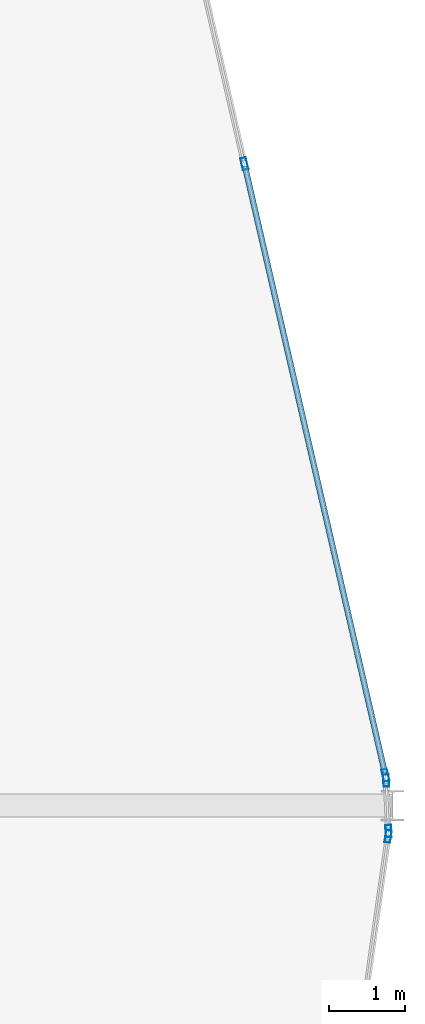
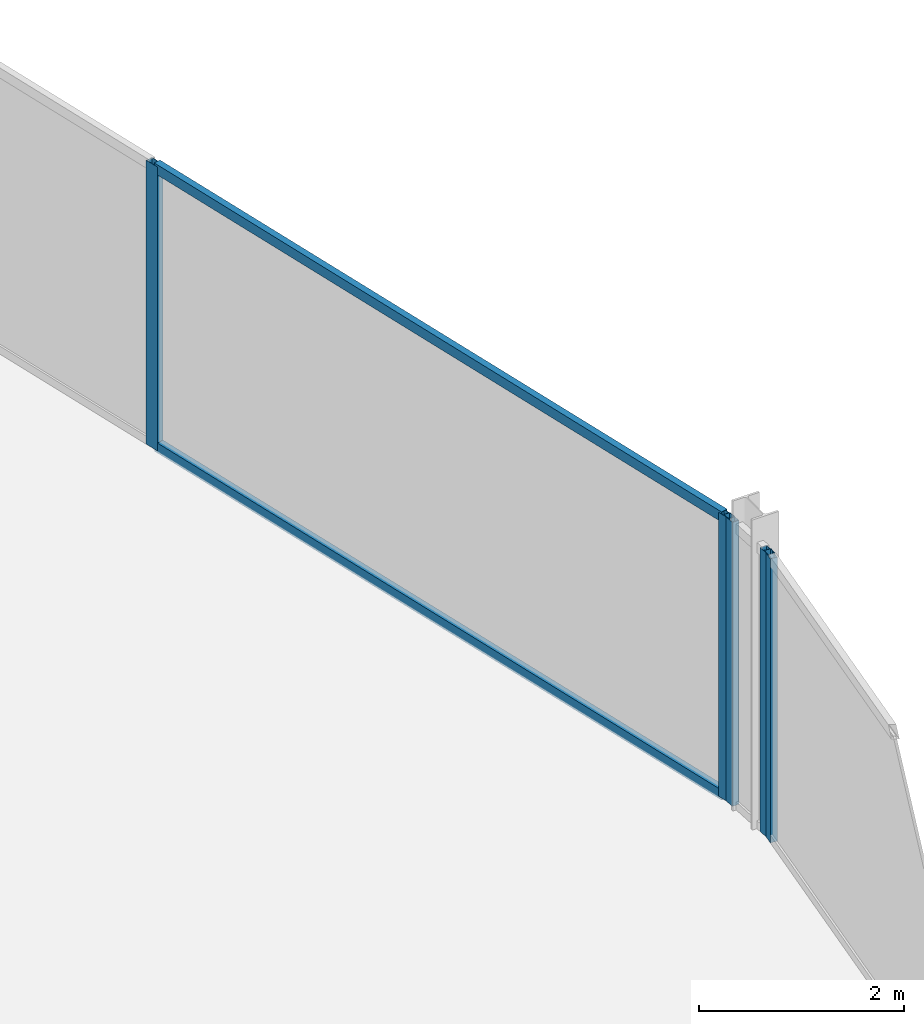
# One storey, part 14 of 27: 7 members, 3 elements without a shape of their own.
"""IFC4 building model written with IfcOpenShell, lengths in metres."""

from ifc_helpers import new_model, si_unit, direction, frame, origin, origin_2d, place, context, subcontext, project, spatial, hollow_rectangle, extrude, material, layer, layer_set, material_profile, profile_set, type_object, element, aggregate, save


model = new_model("IFC4")

# Units and contexts
model_context = context("Model", 3, precision=1e-05, world=origin(), true_north=direction((0.0, 1.0)))
body_context = subcontext(model_context, "Body", "Model", "MODEL_VIEW")
ifc_project = project(units=[si_unit("LENGTHUNIT", "METRE"), si_unit("AREAUNIT", "SQUARE_METRE"), si_unit("VOLUMEUNIT", "CUBIC_METRE"), si_unit("PLANEANGLEUNIT", "RADIAN"), si_unit("MASSUNIT", "GRAM", prefix="KILO")], contexts=[model_context])

# Site, building, storey
site_placement = place(None, origin())
site = spatial("IfcSite", under=ifc_project, at=site_placement, CompositionType="ELEMENT")
building_placement = place(site_placement, origin())
building = spatial("IfcBuilding", under=site, at=building_placement, Name="Keshet Zoharim Tower", CompositionType="ELEMENT")
storey_placement = place(building_placement, frame((0.0, 0.0, 254.699951171875)))
storey = spatial("IfcBuildingStorey", under=building, at=storey_placement, Name="L63", CompositionType="ELEMENT", Elevation=254.699951171875)

# Curtain wall, members
ifc_material = material(Name="Aluminium 6063-T6", Category="aluminium")
ifc_layer = layer(ifc_material, 0.260009765625)
ifc_layer_set = layer_set([ifc_layer], Name="Aluminium 6063-T6")
curtain_wall_type = type_object("IfcCurtainWallType", Name="CW-SYS-06", PredefinedType="NOTDEFINED", material=ifc_layer_set)
curtain_wall_1_placement = place(storey_placement, origin())
curtain_wall_1 = element("IfcCurtainWall", 1, at=curtain_wall_1_placement, inside=storey, type_object=curtain_wall_type, Name="L63 Unitised Curtain Wall 09", PredefinedType="NOTDEFINED")
ifc_material_profile_1 = material_profile(ifc_material, hollow_rectangle(XDim=0.074951171875, YDim=0.159912109375, WallThickness=0.00390625, at=origin_2d()), Name="MUL-75x160")
ifc_profile_set_1 = profile_set([ifc_material_profile_1], Name="Aluminium 6063-T6")
member_type_1 = type_object("IfcMemberType", Name="CWM-M15", PredefinedType="MULLION", material=ifc_profile_set_1)
member_1_placement = place(storey_placement, frame((43.063232421875, 36.291259765625, 0.0), z_axis=(0.0, 0.0, 1.0), x_axis=(0.974398012932, 0.224829963294, 0.0)))
member_1 = element("IfcMember", 2, at=member_1_placement, type_object=member_type_1, Name="CW-06 mullion 3", PredefinedType="MULLION", context=body_context, shape_type="SweptSolid", body=[
    extrude(hollow_rectangle(XDim=0.074951171875, YDim=0.159912109375, WallThickness=0.00390625, at=origin_2d()), origin(), (0.0, 0.0, 1.0), 3.39013671875),
])
member_2_placement = place(storey_placement, frame((44.908203125, 28.296142578125, 0.0), z_axis=(0.0, 0.0, 1.0), x_axis=(0.974398012932, 0.224829963294, 0.0)))
member_2 = element("IfcMember", 3, at=member_2_placement, type_object=member_type_1, Name="CW-06 mullion 4", PredefinedType="MULLION", context=body_context, shape_type="SweptSolid", body=[
    extrude(hollow_rectangle(XDim=0.074951171875, YDim=0.159912109375, WallThickness=0.00390625, at=origin_2d()), origin(), (0.0, 0.0, 1.0), 3.39013671875),
])

curtain_wall_2_placement = place(storey_placement, origin())
curtain_wall_2 = element("IfcCurtainWall", 4, at=curtain_wall_2_placement, inside=storey, type_object=curtain_wall_type, Name="L63 Unitised Curtain Wall 10", PredefinedType="NOTDEFINED")
member_3_placement = place(storey_placement, frame((44.91748046875, 28.22705078125, 0.0), z_axis=(0.0, 0.0, 1.0), x_axis=(0.999040601801, 0.043793560626, 0.0)))
member_3 = element("IfcMember", 5, at=member_3_placement, type_object=member_type_1, Name="CW-06 mullion 1", PredefinedType="MULLION", context=body_context, shape_type="SweptSolid", body=[
    extrude(hollow_rectangle(XDim=0.074951171875, YDim=0.159912109375, WallThickness=0.00390625, at=origin_2d()), origin(), (0.0, 0.0, 1.0), 3.39013671875),
])
member_4_placement = place(storey_placement, frame((44.946533203125, 27.56689453125, 0.0), z_axis=(0.0, 0.0, 1.0), x_axis=(0.999040601801, 0.043793560626, 0.0)))
member_4 = element("IfcMember", 6, at=member_4_placement, type_object=member_type_1, Name="CW-06 mullion 2", PredefinedType="MULLION", context=body_context, shape_type="SweptSolid", body=[
    extrude(hollow_rectangle(XDim=0.074951171875, YDim=0.159912109375, WallThickness=0.00390625, at=origin_2d()), origin(), (0.0, 0.0, 1.0), 3.39013671875),
])
aggregate(curtain_wall_2, [member_3, member_4])

# Curtain wall, member
curtain_wall_3_placement = place(storey_placement, origin())
curtain_wall_3 = element("IfcCurtainWall", 7, at=curtain_wall_3_placement, inside=storey, type_object=curtain_wall_type, Name="L63 Unitised Curtain Wall 11", PredefinedType="NOTDEFINED")
member_5_placement = place(storey_placement, frame((44.943115234375, 27.497314453125, 0.0), z_axis=(0.0, 0.0, 1.0), x_axis=(0.990132057422, -0.140137464177, 0.0)))
member_5 = element("IfcMember", 8, at=member_5_placement, type_object=member_type_1, Name="CW-06 mullion 1", PredefinedType="MULLION", context=body_context, shape_type="SweptSolid", body=[
    extrude(hollow_rectangle(XDim=0.074951171875, YDim=0.159912109375, WallThickness=0.00390625, at=origin_2d()), origin(), (0.0, 0.0, 1.0), 3.39013671875),
])
aggregate(curtain_wall_3, [member_5])

# Member
ifc_material_profile_2 = material_profile(ifc_material, hollow_rectangle(XDim=0.074951171875, YDim=0.1201171875, WallThickness=0.00390625, at=origin_2d()), Name="TRN-75x120")
ifc_profile_set_2 = profile_set([ifc_material_profile_2], Name="Aluminium 6063-T6")
member_type_2 = type_object("IfcMemberType", Name="CWT-T12", PredefinedType="USERDEFINED", material=ifc_profile_set_2)
member_6_placement = place(storey_placement, frame((43.0712890625, 36.25732421875, 0.03515625), z_axis=(0.224806904107, -0.974403333259, 0.0), x_axis=(0.974403333259, 0.224806904107, 0.0)))
member_6 = element("IfcMember", 9, at=member_6_placement, type_object=member_type_2, Name="CW-06 transom 3.1", ObjectType="TRANSOM", PredefinedType="USERDEFINED", context=body_context, shape_type="SweptSolid", body=[
    extrude(hollow_rectangle(XDim=0.074951171875, YDim=0.1201171875, WallThickness=0.00390625, at=origin_2d()), origin(), (0.0, 0.0, 1.0), 8.13525390625),
])

member_7_placement = place(storey_placement, frame((43.0712890625, 36.25732421875, 3.35498046875), z_axis=(0.224806904107, -0.974403333259, 0.0), x_axis=(0.974403333259, 0.224806904107, 0.0)))
member_7 = element("IfcMember", 10, at=member_7_placement, type_object=member_type_2, Name="CW-06 transom 3.2", ObjectType="TRANSOM", PredefinedType="USERDEFINED", context=body_context, shape_type="SweptSolid", body=[
    extrude(hollow_rectangle(XDim=0.074951171875, YDim=0.1201171875, WallThickness=0.00390625, at=origin_2d()), origin(), (0.0, 0.0, 1.0), 8.13525390625),
])

aggregate(curtain_wall_1, [member_1, member_2, member_6, member_7])

save(model, "model.ifc")
